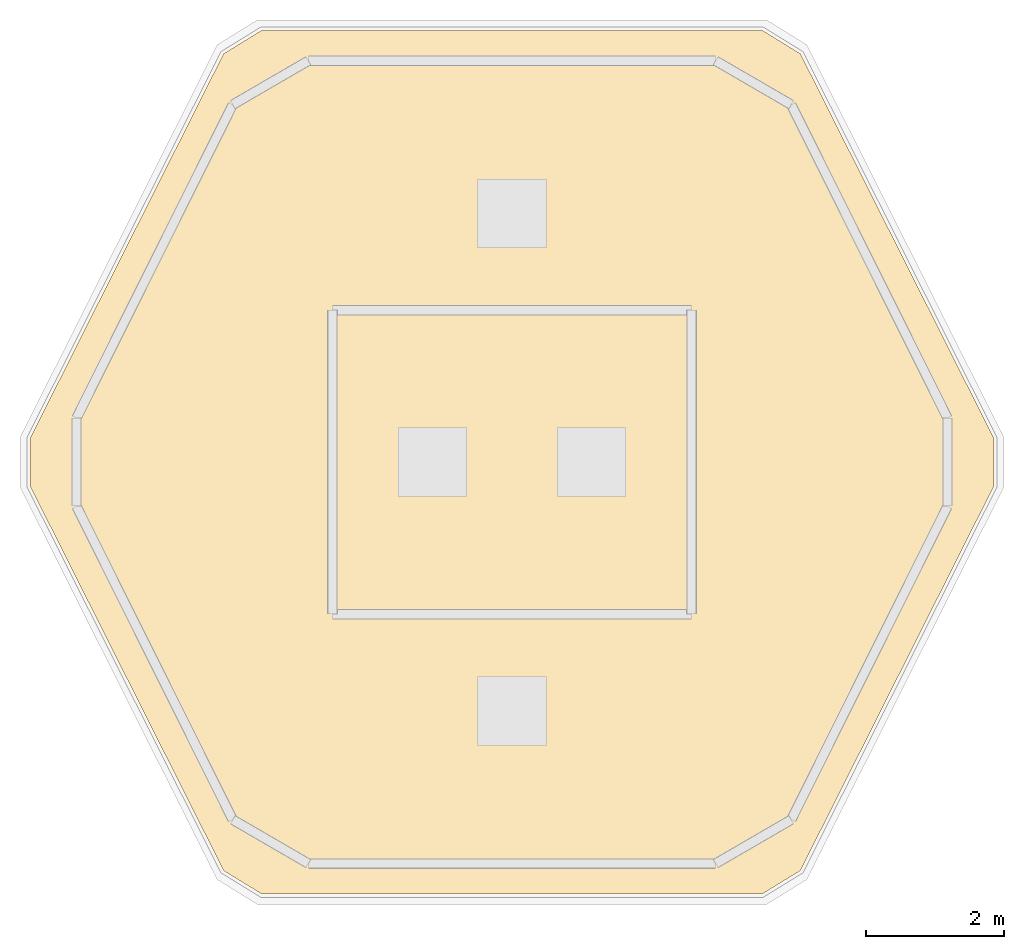
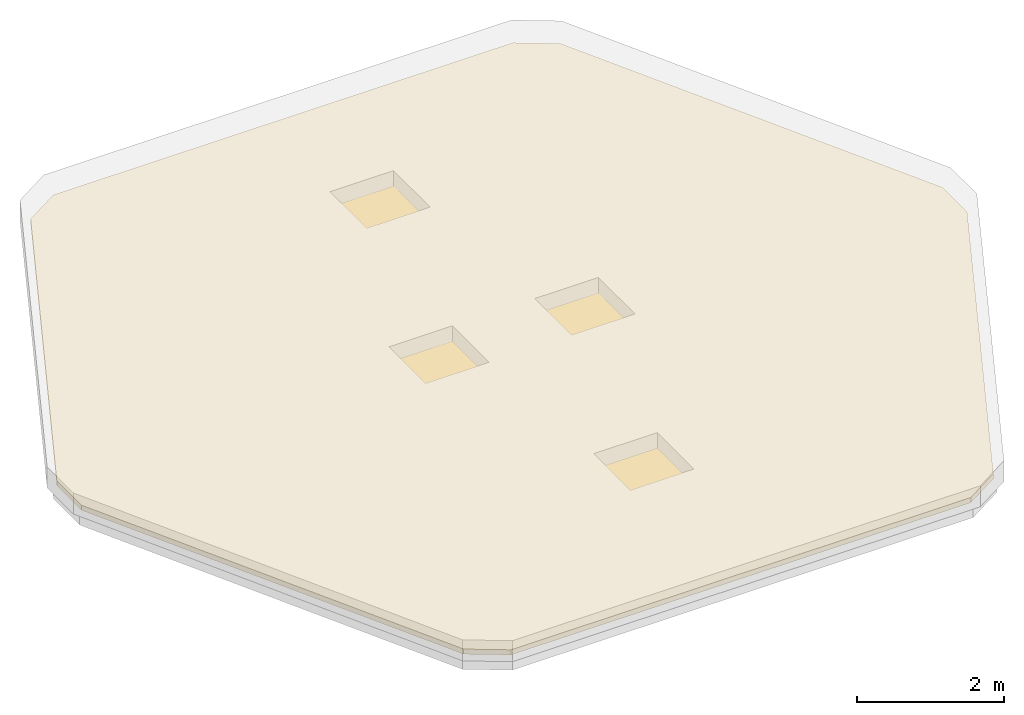
# One storey, part 2 of 2: 1 covering.
"""IFC4 building model written with IfcOpenShell, lengths in metres."""

from ifc_helpers import new_model, si_unit, direction, frame, origin, place, context, subcontext, project, spatial, polyline, outline, extrude, material, layer, layer_set, type_object, element, save


model = new_model("IFC4")

# Units and contexts
model_context = context("Model", 3, precision=1e-05, world=origin(), true_north=direction((0.0, 1.0)))
body_context = subcontext(model_context, "Body", "Model", "MODEL_VIEW")
ifc_project = project(units=[si_unit("LENGTHUNIT", "METRE"), si_unit("AREAUNIT", "SQUARE_METRE"), si_unit("VOLUMEUNIT", "CUBIC_METRE"), si_unit("PLANEANGLEUNIT", "RADIAN"), si_unit("MASSUNIT", "GRAM", prefix="KILO")], contexts=[model_context])

# Site, building, storey
site_placement = place(None, origin())
site = spatial("IfcSite", under=ifc_project, at=site_placement, CompositionType="ELEMENT")
building_placement = place(site_placement, origin())
building = spatial("IfcBuilding", under=site, at=building_placement, Name="Cinnabar Lancet Tower", CompositionType="ELEMENT")
storey_placement = place(building_placement, frame((0.0, 0.0, 342.0)))
storey = spatial("IfcBuildingStorey", under=building, at=storey_placement, Name="Roof", CompositionType="ELEMENT", Elevation=342.0)

# Covering
ifc_material = material(Name="TPO single-ply insulated waterproof roofing membrane", Category="finish")
ifc_layer = layer(ifc_material, 0.0849609375)
ifc_layer_set = layer_set([ifc_layer], Name="TPO single-ply insulated waterproof roofing membrane")
covering_type = type_object("IfcCoveringType", Name="ARC-COV-ROOF-MEM", PredefinedType="ROOFING", material=ifc_layer_set)
covering_placement = place(storey_placement, origin())
element("IfcCovering", 1, at=covering_placement, inside=storey, type_object=covering_type, Name="Roof Insulated TPO Waterproof Roofing Membrane", PredefinedType="ROOFING", context=body_context, shape_type="SweptSolid", body=[
    extrude(outline(polyline([(28.22509765625, 19.888916015625), (28.77587890625, 19.550048828125), (36.02392578125, 19.550048828125), (36.574951171875, 19.888916015625), (39.37890625, 25.4609375), (39.37890625, 26.138916015625), (36.574951171875, 31.7109375), (36.02392578125, 32.050048828125), (28.77587890625, 32.050048828125), (28.22509765625, 31.7109375), (25.4208984375, 26.138916015625), (25.4208984375, 25.4609375), (28.22509765625, 19.888916015625)])), origin(), (0.0, 0.0, 1.0), 0.0849609375),
])

save(model, "model.ifc")
